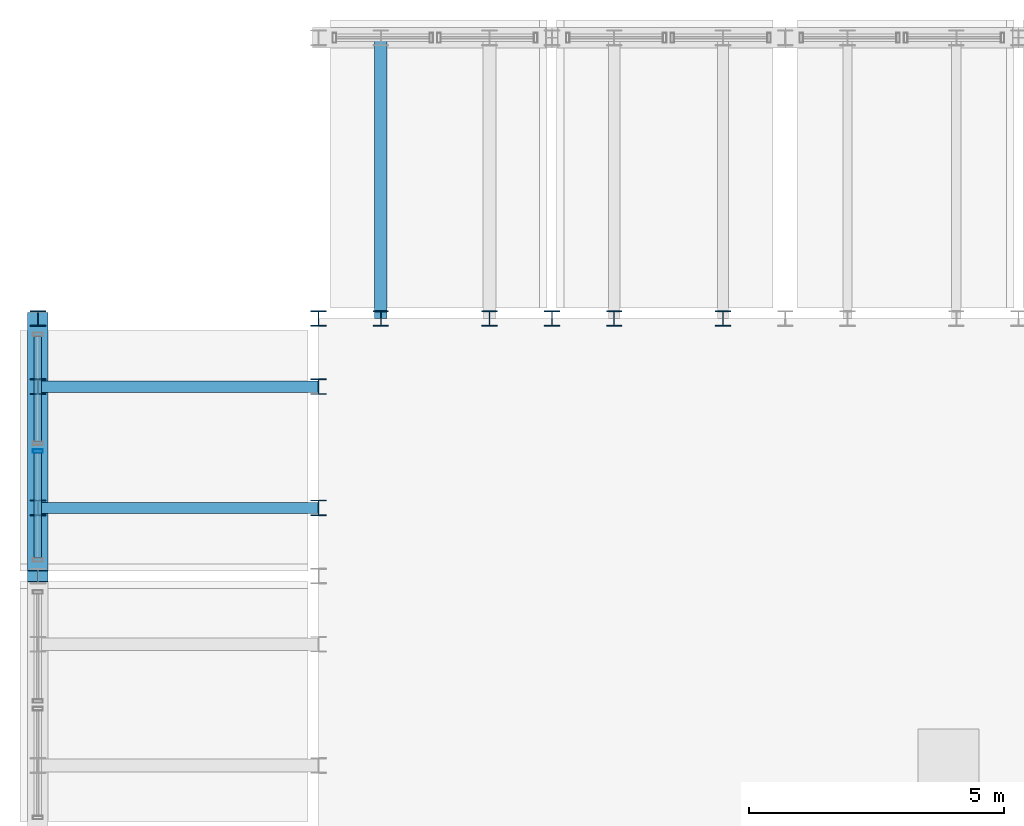
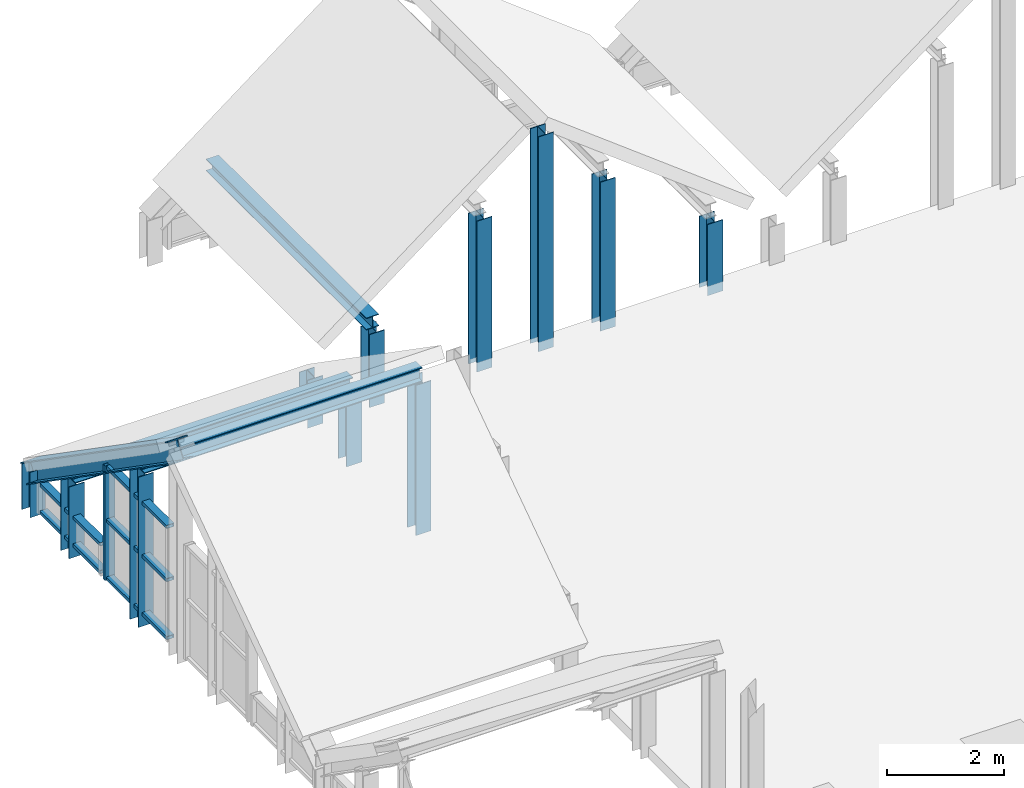
# One storey, part 8 of 21: 21 members, 2 elements without a shape of their own.
"""IFC4 building model written with IfcOpenShell, lengths in metres."""

import ifcopenshell
import ifcopenshell.guid

model = None  # the IFC model being written
_history = None  # IfcOwnerHistory: only IFC2X3 demands one
_inside = {}  # id of a spatial element -> (the spatial element, [elements in it])
_under = {}  # id of a project, library or spatial element -> (it, [spatial elements below it])
_declared = {}  # id of a project -> (the project, [libraries it declares])
_typed = {}  # id of a type object -> (the type object, [elements of that type])
_made_of = {}  # id of a material, layer set ... -> (it, [elements and type objects made of it])


def new_model(schema):
    """Start an empty IFC model of exactly this schema.

    Asked for "IFC4X3", IfcOpenShell would pick the latest addendum, in which some entities
    have other attributes; the version numbers below select the first issue.
    IFC2X3 requires an IfcOwnerHistory on every rooted entity: one is made here for all.
    """
    global model, _history
    if schema == "IFC4X3":
        model = ifcopenshell.file(schema_version=(4, 3, 0, 0))
    else:
        model = ifcopenshell.file(schema=schema)
    _inside.clear()
    _under.clear()
    _declared.clear()
    _typed.clear()
    _made_of.clear()
    _history = None
    if model.schema == "IFC2X3":
        org = make("IfcOrganization", Name="unknown")
        user = make(
            "IfcPersonAndOrganization",
            ThePerson=make("IfcPerson", FamilyName="unknown"),
            TheOrganization=org,
        )
        app = make(
            "IfcApplication",
            ApplicationDeveloper=org,
            Version="unknown",
            ApplicationFullName="unknown",
            ApplicationIdentifier="unknown",
        )
        _history = make(
            "IfcOwnerHistory",
            OwningUser=user,
            OwningApplication=app,
            ChangeAction="ADDED",
            CreationDate=0,
        )
    return model


def make(cls, **values):
    """One entity of the class cls with the attributes given. An attribute that is None is left unset."""
    return model.create_entity(
        cls, **{name: value for name, value in values.items() if value is not None}
    )


def rooted(cls, **values):
    """An entity with a GlobalId (a new one), such as an element, a storey or a relation."""
    return make(cls, GlobalId=ifcopenshell.guid.new(), OwnerHistory=_history, **values)


def si_unit(unit_type, name, prefix=None):
    """IfcSIUnit, for example si_unit("LENGTHUNIT", "METRE", prefix="MILLI")."""
    return make("IfcSIUnit", UnitType=unit_type, Prefix=prefix, Name=name)


def assignment(units):
    """IfcUnitAssignment: the units of a project."""
    return None if units is None else make("IfcUnitAssignment", Units=units)


def point(xyz):
    """IfcCartesianPoint."""
    return None if xyz is None else make("IfcCartesianPoint", Coordinates=xyz)


def direction(xyz):
    """IfcDirection."""
    return None if xyz is None else make("IfcDirection", DirectionRatios=xyz)


def frame(location, z_axis=None, x_axis=None):
    """IfcAxis2Placement3D, a coordinate frame: its origin and axes. An axis left out is left unset."""
    return make(
        "IfcAxis2Placement3D",
        Location=point(location),
        Axis=direction(z_axis),
        RefDirection=direction(x_axis),
    )


def frame_2d(location, x_axis=None):
    """IfcAxis2Placement2D, a coordinate frame in the plane: its origin and x axis."""
    return make(
        "IfcAxis2Placement2D", Location=point(location), RefDirection=direction(x_axis)
    )


def origin():
    """The frame at (0, 0, 0) with its axes left unset."""
    return frame((0.0, 0.0, 0.0))


def origin_2d():
    """The frame at (0, 0) in the plane with its x axis left unset."""
    return frame_2d((0.0, 0.0))


def place(relative_to, where):
    """IfcLocalPlacement: puts the frame where relative to a parent placement (None: the world)."""
    return make(
        "IfcLocalPlacement", PlacementRelTo=relative_to, RelativePlacement=where
    )


def context(
    kind, dimensions, precision=None, world=None, true_north=None, identifier=None
):
    """IfcGeometricRepresentationContext, for example the 3D "Model" context."""
    return make(
        "IfcGeometricRepresentationContext",
        ContextIdentifier=identifier,
        ContextType=kind,
        CoordinateSpaceDimension=dimensions,
        Precision=precision,
        WorldCoordinateSystem=world,
        TrueNorth=true_north,
    )


def subcontext(parent, identifier, kind, view, scale=None):
    """IfcGeometricRepresentationSubContext, for example "Body" below "Model"."""
    return make(
        "IfcGeometricRepresentationSubContext",
        ContextIdentifier=identifier,
        ContextType=kind,
        ParentContext=parent,
        TargetScale=scale,
        TargetView=view,
    )


def project(units=None, contexts=None):
    """IfcProject with its units and contexts."""
    return rooted(
        "IfcProject",
        Name="project",
        RepresentationContexts=contexts,
        UnitsInContext=assignment(units),
    )


def spatial(cls, under=None, at=None, **own):
    """A site, building, storey or space (cls), placed at a placement, below another one or the project."""
    s = rooted(cls, ObjectPlacement=at, **own)
    if under is not None:
        _under.setdefault(under.id(), (under, []))[1].append(s)
    return s


def profile(cls, at=None, kind="AREA", **sizes):
    """A parametric profile (cls). Its sizes go by their IFC names, for example OverallWidth=200.0."""
    return make(cls, ProfileType=kind, Position=at, **sizes)


def hollow_rectangle(**sizes):
    """IfcRectangleHollowProfileDef."""
    return profile("IfcRectangleHollowProfileDef", **sizes)


def i_section(**sizes):
    """IfcIShapeProfileDef."""
    return profile("IfcIShapeProfileDef", **sizes)


def extrude(swept, where, along, depth):
    """IfcExtrudedAreaSolid: the profile swept, set in the frame where, extruded along a direction by depth."""
    return make(
        "IfcExtrudedAreaSolid",
        SweptArea=swept,
        Position=where,
        ExtrudedDirection=direction(along),
        Depth=depth,
    )


def shape(context_of_items, identifier, shape_type, items):
    """IfcShapeRepresentation: the items that make up one representation, for example the "Body"."""
    return make(
        "IfcShapeRepresentation",
        ContextOfItems=context_of_items,
        RepresentationIdentifier=identifier,
        RepresentationType=shape_type,
        Items=items,
    )


def source(mapping_origin, context_of_items, identifier, shape_type, items):
    """IfcRepresentationMap: a shape defined once, which mapped items show again and again."""
    return make(
        "IfcRepresentationMap",
        MappingOrigin=mapping_origin,
        MappedRepresentation=shape(context_of_items, identifier, shape_type, items),
    )


def transform(
    local_origin,
    x_axis=None,
    y_axis=None,
    z_axis=None,
    scale=None,
    scale2=None,
    scale3=None,
    uniform=True,
):
    """IfcCartesianTransformationOperator3D, or its non-uniform kind. x_axis, y_axis, z_axis: its Axis1, 2, 3."""
    if uniform:
        return make(
            "IfcCartesianTransformationOperator3D",
            Axis1=direction(x_axis),
            Axis2=direction(y_axis),
            LocalOrigin=point(local_origin),
            Scale=scale,
            Axis3=direction(z_axis),
        )
    return make(
        "IfcCartesianTransformationOperator3DnonUniform",
        Axis1=direction(x_axis),
        Axis2=direction(y_axis),
        LocalOrigin=point(local_origin),
        Scale=scale,
        Axis3=direction(z_axis),
        Scale2=scale2,
        Scale3=scale3,
    )


def mapped(mapping_source, mapping_target):
    """IfcMappedItem: shows the shape of a source again, moved by a transform."""
    return make(
        "IfcMappedItem", MappingSource=mapping_source, MappingTarget=mapping_target
    )


def material(Name=None, Category=None):
    """IfcMaterial."""
    return make("IfcMaterial", Name=Name, Category=Category)


def layer(
    of_material, thickness, ventilated=None, Name=None, Category=None, Priority=None
):
    """IfcMaterialLayer: one layer of a wall or slab, of a material (None: an air gap)."""
    return make(
        "IfcMaterialLayer",
        Material=of_material,
        LayerThickness=thickness,
        IsVentilated=ventilated,
        Name=Name,
        Category=Category,
        Priority=Priority,
    )


def layer_set(layers, Name=None):
    """IfcMaterialLayerSet."""
    return make("IfcMaterialLayerSet", MaterialLayers=layers, LayerSetName=Name)


def material_profile(
    of_material, cross_section, Name=None, Category=None, Priority=None
):
    """IfcMaterialProfile: a cross section and its material."""
    return make(
        "IfcMaterialProfile",
        Name=Name,
        Material=of_material,
        Profile=cross_section,
        Priority=Priority,
        Category=Category,
    )


def profile_set(profiles, Name=None, composite=None):
    """IfcMaterialProfileSet."""
    return make(
        "IfcMaterialProfileSet",
        Name=Name,
        MaterialProfiles=profiles,
        CompositeProfile=composite,
    )


def made_of(thing, what):
    """Note that an element or type object is made of a material, layer set ...; save() writes the relation."""
    if what is not None:
        _made_of.setdefault(what.id(), (what, []))[1].append(thing)
    return thing


def type_object(cls, material=None, **own):
    """A type object (cls), such as IfcWallType, which elements share."""
    return made_of(rooted(cls, **own), material)


def element(
    cls,
    number,
    at=None,
    inside=None,
    cuts=None,
    type_object=None,
    material=None,
    context=None,
    identifier="Body",
    shape_type=None,
    held_by="IfcProductDefinitionShape",
    body=None,
    shapes=None,
    **own,
):
    """One element of the class cls, such as IfcWall. Its Tag is "e" and its number.

    at: its placement. inside: the storey or other place that contains it. cuts: it is an
    opening in that element (IfcRelVoidsElement). A single representation is given by context,
    identifier, shape_type and body (its items); several are given by shapes. held_by: the class
    of the entity that holds the representations. save() writes the other relations.
    """
    e = rooted(cls, Tag="e%d" % number, ObjectPlacement=at, **own)
    if body is not None:
        shapes = [shape(context, identifier, shape_type, body)]
    if shapes is not None:
        e.Representation = make(held_by, Representations=shapes)
    if inside is not None:
        _inside.setdefault(inside.id(), (inside, []))[1].append(e)
    if cuts is not None:
        rooted(
            "IfcRelVoidsElement", RelatingBuildingElement=cuts, RelatedOpeningElement=e
        )
    if type_object is not None:
        _typed.setdefault(type_object.id(), (type_object, []))[1].append(e)
    return made_of(e, material)


def aggregate(whole, parts):
    """IfcRelAggregates: a whole, such as a stair, and the parts it consists of."""
    return rooted("IfcRelAggregates", RelatingObject=whole, RelatedObjects=parts)


def save(model, path):
    """Write the relations noted so far, then the file.

    IfcRelAggregates (storeys below a building ...), IfcRelContainedInSpatialStructure (elements
    in a storey), IfcRelDefinesByType, IfcRelAssociatesMaterial and IfcRelDeclares: one each for
    every whole, place, type object, material and project.
    """
    for whole, parts in _under.values():
        aggregate(whole, parts)
    for where, things in _inside.values():
        rooted(
            "IfcRelContainedInSpatialStructure",
            RelatedElements=things,
            RelatingStructure=where,
        )
    for kind, things in _typed.values():
        rooted("IfcRelDefinesByType", RelatedObjects=things, RelatingType=kind)
    for what, things in _made_of.values():
        rooted("IfcRelAssociatesMaterial", RelatedObjects=things, RelatingMaterial=what)
    for by, libraries in _declared.values():
        rooted("IfcRelDeclares", RelatingContext=by, RelatedDefinitions=libraries)
    model.write(path)


model = new_model("IFC4")

# Units and contexts
model_context = context("Model", 3, precision=1e-05, world=origin(), true_north=direction((0.0, 1.0)))
body_context = subcontext(model_context, "Body", "Model", "MODEL_VIEW")
ifc_project = project(units=[si_unit("LENGTHUNIT", "METRE"), si_unit("AREAUNIT", "SQUARE_METRE"), si_unit("VOLUMEUNIT", "CUBIC_METRE"), si_unit("PLANEANGLEUNIT", "RADIAN"), si_unit("MASSUNIT", "GRAM", prefix="KILO")], contexts=[model_context])

# Site, building, storey
site_placement = place(None, origin())
site = spatial("IfcSite", under=ifc_project, at=site_placement, CompositionType="ELEMENT")
building_placement = place(site_placement, origin())
building = spatial("IfcBuilding", under=site, at=building_placement, Name="Saelheon Loggia Tower", CompositionType="ELEMENT")
storey_placement = place(building_placement, frame((0.0, 0.0, 275.0)))
storey = spatial("IfcBuildingStorey", under=building, at=storey_placement, Name="ROOF", CompositionType="ELEMENT", Elevation=275.0)

# Members
ifc_material_1 = material(Name="Steel SM355", Category="steel")
ifc_material_profile_1 = material_profile(ifc_material_1, i_section(OverallWidth=0.300048828125, OverallDepth=0.300048828125, WebThickness=0.010009765625, FlangeThickness=0.014892578125, at=origin_2d()), Name="H-300x300x10x15")
ifc_profile_set_1 = profile_set([ifc_material_profile_1], Name="Steel SM355")
member_type_1 = type_object("IfcMemberType", Name="WaveCrest_Post_H300", PredefinedType="POST", material=ifc_profile_set_1)
shared_shape_1 = source(origin(), body_context, "Body", "SweptSolid", [
    extrude(i_section(OverallWidth=0.300048828125, OverallDepth=0.300048828125, WebThickness=0.010009765625, FlangeThickness=0.014892578125, at=origin_2d()), origin(), (0.0, 0.0, 1.0), 0.949951171875),
])
member_1_placement = place(storey_placement, frame((23.35009765625, 42.14990234375, -0.14990234375), z_axis=(0.0, 0.0, 1.0), x_axis=(1.0, 0.0, 0.0)))
element("IfcMember", 1, at=member_1_placement, inside=storey, type_object=member_type_1, Name="ROOF Wave Crest Outer Post W 06", PredefinedType="POST", context=body_context, shape_type="MappedRepresentation", body=[
    mapped(shared_shape_1, transform((0.0, 0.0, 0.0), scale=1.0)),
])
ifc_material_profile_2 = material_profile(ifc_material_1, i_section(OverallWidth=0.300048828125, OverallDepth=0.300048828125, WebThickness=0.010009765625, FlangeThickness=0.014892578125, at=origin_2d()), Name="H-300x300x10x15")
ifc_profile_set_2 = profile_set([ifc_material_profile_2], Name="Steel SM355")
member_type_2 = type_object("IfcMemberType", Name="Belt_Post_H300", PredefinedType="POST", material=ifc_profile_set_2)
shared_shape_2 = source(origin(), body_context, "Body", "SweptSolid", [
    extrude(i_section(OverallWidth=0.300048828125, OverallDepth=0.300048828125, WebThickness=0.010009765625, FlangeThickness=0.014892578125, at=origin_2d()), origin(), (0.0, 0.0, 1.0), 1.0),
])
member_2_placement = place(storey_placement, frame((28.85009765625, 42.14990234375, -0.199951171875), z_axis=(0.0, 0.0, 1.0), x_axis=(1.0, 0.0, 0.0)))
element("IfcMember", 2, at=member_2_placement, inside=storey, type_object=member_type_2, Name="ROOF Wave Crest Inner Post W 06", PredefinedType="POST", context=body_context, shape_type="MappedRepresentation", body=[
    mapped(shared_shape_2, transform((0.0, 0.0, 0.0), scale=1.0)),
])
shared_shape_3 = source(origin(), body_context, "Body", "SweptSolid", [
    extrude(i_section(OverallWidth=0.300048828125, OverallDepth=0.300048828125, WebThickness=0.010009765625, FlangeThickness=0.014892578125, at=origin_2d()), origin(), (0.0, 0.0, 1.0), 4.5),
])
member_3_placement = place(storey_placement, frame((33.425048828125, 42.14990234375, -0.199951171875), z_axis=(0.0, 0.0, 1.0), x_axis=(1.0, 0.0, 0.0)))
element("IfcMember", 3, at=member_3_placement, inside=storey, type_object=member_type_2, Name="ROOF Wave Crest Inner Post N 01", PredefinedType="POST", context=body_context, shape_type="MappedRepresentation", body=[
    mapped(shared_shape_3, transform((0.0, 0.0, 0.0), scale=1.0)),
])
ifc_material_profile_3 = material_profile(ifc_material_1, i_section(OverallWidth=0.25, OverallDepth=0.25, WebThickness=0.009033203125, FlangeThickness=0.013916015625, at=origin_2d()), Name="H-250x250x9x14")
ifc_profile_set_3 = profile_set([ifc_material_profile_3], Name="Steel SM355")
member_type_3 = type_object("IfcMemberType", Name="Roof_Purlin_H250", PredefinedType="PURLIN", material=ifc_profile_set_3)
shared_shape_4 = source(origin(), body_context, "Body", "SweptSolid", [
    extrude(i_section(OverallWidth=0.25, OverallDepth=0.25, WebThickness=0.009033203125, FlangeThickness=0.013916015625, at=origin_2d()), origin(), (0.0, 0.0, 1.0), 5.5),
])
member_4_placement = place(storey_placement, frame((30.07275390625, 47.64990234375, 1.45458984375), z_axis=(0.0, -1.0, 0.0), x_axis=(1.0, 0.0, 0.0)))
element("IfcMember", 4, at=member_4_placement, inside=storey, type_object=member_type_3, Name="Crown Wave Roof Purlin 17 A", PredefinedType="PURLIN", context=body_context, shape_type="MappedRepresentation", body=[
    mapped(shared_shape_4, transform((0.0, 0.0, 0.0), scale=1.0)),
])
ifc_material_profile_4 = material_profile(ifc_material_1, i_section(OverallWidth=0.219970703125, OverallDepth=0.300048828125, WebThickness=0.011962890625, FlangeThickness=0.02001953125, at=origin_2d()), Name="H-300x220x12x20")
ifc_profile_set_4 = profile_set([ifc_material_profile_4], Name="Steel SM355")
member_type_4 = type_object("IfcMemberType", Name="Roof_Purlin_RHS300", PredefinedType="PURLIN", material=ifc_profile_set_4)
shared_shape_5 = source(origin(), body_context, "Body", "SweptSolid", [
    extrude(i_section(OverallWidth=0.219970703125, OverallDepth=0.300048828125, WebThickness=0.011962890625, FlangeThickness=0.02001953125, at=origin_2d()), origin(), (0.0, 0.0, 1.0), 5.5),
])
for number, where, z_axis, x_axis, name in (
    (5, (23.35009765625, 38.436767578125, 3.097412109375), (1.0, 0.0, 0.0), (0.0, 1.0, 0.0), "Crown Wave Roof Purlin 06 A"),
    (6, (23.35009765625, 40.813232421875, 1.4501953125), (1.0, 0.0, 0.0), (0.0, 1.0, 0.0), "Crown Wave Roof Purlin 06 B"),
):
    element("IfcMember", number, at=place(storey_placement, frame(where, z_axis=z_axis, x_axis=x_axis)), inside=storey, type_object=member_type_4, Name=name, PredefinedType="PURLIN", context=body_context, shape_type="MappedRepresentation", body=[
        mapped(shared_shape_5, transform((0.0, 0.0, 0.0), scale=1.0)),
    ])
shared_shape_6 = source(origin(), body_context, "Body", "SweptSolid", [
    extrude(i_section(OverallWidth=0.300048828125, OverallDepth=0.300048828125, WebThickness=0.010009765625, FlangeThickness=0.014892578125, at=origin_2d()), origin(), (0.0, 0.0, 1.0), 1.500244140625),
])
for number, where, z_axis, x_axis, name in (
    (7, (23.35009765625, 40.813232421875, -0.199951171875), (0.0, 0.0, 1.0), (1.0, 0.0, 0.0), "Crown Wave Roof Purlin Support Post 06 B O"),
    (8, (28.85009765625, 40.813232421875, -0.199951171875), (0.0, 0.0, 1.0), (1.0, 0.0, 0.0), "Crown Wave Roof Purlin Support Post 06 B I"),
):
    element("IfcMember", number, at=place(storey_placement, frame(where, z_axis=z_axis, x_axis=x_axis)), inside=storey, type_object=member_type_2, Name=name, PredefinedType="POST", context=body_context, shape_type="MappedRepresentation", body=[
        mapped(shared_shape_6, transform((0.0, 0.0, 0.0), scale=1.0)),
    ])
shared_shape_7 = source(origin(), body_context, "Body", "SweptSolid", [
    extrude(i_section(OverallWidth=0.300048828125, OverallDepth=0.300048828125, WebThickness=0.010009765625, FlangeThickness=0.014892578125, at=origin_2d()), origin(), (0.0, 0.0, 1.0), 3.147216796875),
])
for number, where, z_axis, x_axis, name in (
    (9, (23.35009765625, 38.436767578125, -0.199951171875), (0.0, 0.0, 1.0), (1.0, 0.0, 0.0), "Crown Wave Roof Purlin Support Post 06 A O"),
    (10, (28.85009765625, 38.436767578125, -0.199951171875), (0.0, 0.0, 1.0), (1.0, 0.0, 0.0), "Crown Wave Roof Purlin Support Post 06 A I"),
):
    element("IfcMember", number, at=place(storey_placement, frame(where, z_axis=z_axis, x_axis=x_axis)), inside=storey, type_object=member_type_2, Name=name, PredefinedType="POST", context=body_context, shape_type="MappedRepresentation", body=[
        mapped(shared_shape_7, transform((0.0, 0.0, 0.0), scale=1.0)),
    ])
shared_shape_8 = source(origin(), body_context, "Body", "SweptSolid", [
    extrude(i_section(OverallWidth=0.300048828125, OverallDepth=0.300048828125, WebThickness=0.010009765625, FlangeThickness=0.014892578125, at=origin_2d()), origin(), (0.0, 0.0, 1.0), 3.15869140625),
])
member_5_placement = place(storey_placement, frame((32.2021484375, 42.14990234375, -0.199951171875), z_axis=(0.0, 0.0, 1.0), x_axis=(1.0, 0.0, 0.0)))
element("IfcMember", 11, at=member_5_placement, inside=storey, type_object=member_type_2, Name="Crown Wave Roof Purlin Support Post 17 B I", PredefinedType="POST", context=body_context, shape_type="MappedRepresentation", body=[
    mapped(shared_shape_8, transform((0.0, 0.0, 0.0), scale=1.0)),
])
shared_shape_9 = source(origin(), body_context, "Body", "SweptSolid", [
    extrude(i_section(OverallWidth=0.300048828125, OverallDepth=0.300048828125, WebThickness=0.010009765625, FlangeThickness=0.014892578125, at=origin_2d()), origin(), (0.0, 0.0, 1.0), 1.529541015625),
])
member_6_placement = place(storey_placement, frame((30.07275390625, 42.14990234375, -0.199951171875), z_axis=(0.0, 0.0, 1.0), x_axis=(1.0, 0.0, 0.0)))
element("IfcMember", 12, at=member_6_placement, inside=storey, type_object=member_type_2, Name="Crown Wave Roof Purlin Support Post 17 A I", PredefinedType="POST", context=body_context, shape_type="MappedRepresentation", body=[
    mapped(shared_shape_9, transform((0.0, 0.0, 0.0), scale=1.0)),
])
shared_shape_10 = source(origin(), body_context, "Body", "SweptSolid", [
    extrude(i_section(OverallWidth=0.300048828125, OverallDepth=0.300048828125, WebThickness=0.010009765625, FlangeThickness=0.014892578125, at=origin_2d()), origin(), (0.0, 0.0, 1.0), 1.490966796875),
])
member_7_placement = place(storey_placement, frame((36.777099609375, 42.14990234375, -0.199951171875), z_axis=(0.0, 0.0, 1.0), x_axis=(1.0, 0.0, 0.0)))
element("IfcMember", 13, at=member_7_placement, inside=storey, type_object=member_type_2, Name="Crown Wave Roof Purlin Support Post 18 B I", PredefinedType="POST", context=body_context, shape_type="MappedRepresentation", body=[
    mapped(shared_shape_10, transform((0.0, 0.0, 0.0), scale=1.0)),
])
shared_shape_11 = source(origin(), body_context, "Body", "SweptSolid", [
    extrude(i_section(OverallWidth=0.300048828125, OverallDepth=0.300048828125, WebThickness=0.010009765625, FlangeThickness=0.014892578125, at=origin_2d()), origin(), (0.0, 0.0, 1.0), 3.1201171875),
])
member_8_placement = place(storey_placement, frame((34.647705078125, 42.14990234375, -0.199951171875), z_axis=(0.0, 0.0, 1.0), x_axis=(1.0, 0.0, 0.0)))
element("IfcMember", 14, at=member_8_placement, inside=storey, type_object=member_type_2, Name="Crown Wave Roof Purlin Support Post 18 A I", PredefinedType="POST", context=body_context, shape_type="MappedRepresentation", body=[
    mapped(shared_shape_11, transform((0.0, 0.0, 0.0), scale=1.0)),
])
ifc_material_profile_5 = material_profile(ifc_material_1, i_section(OverallWidth=0.39990234375, OverallDepth=0.39990234375, WebThickness=0.012939453125, FlangeThickness=0.02099609375, at=origin_2d()), Name="H-400x400x13x21")
ifc_profile_set_5 = profile_set([ifc_material_profile_5], Name="Steel SM355")
member_type_5 = type_object("IfcMemberType", Name="CrownFrame_Brace_H400", PredefinedType="BRACE", material=ifc_profile_set_5)
shared_shape_12 = source(origin(), body_context, "Body", "SweptSolid", [
    extrude(i_section(OverallWidth=0.39990234375, OverallDepth=0.39990234375, WebThickness=0.012939453125, FlangeThickness=0.02099609375, at=origin_2d()), origin(), (0.0, 0.0, 1.0), 6.14404296875),
])
member_9_placement = place(storey_placement, frame((23.35009765625, 37.10009765625, 4.199951171875), z_axis=(0.0, 0.821888813717, -0.569647942054), x_axis=(-1.0, 0.0, 0.0)))
element("IfcMember", 15, at=member_9_placement, inside=storey, type_object=member_type_5, Name="ROOF CROWN FRAME Wave Crest Cap W 06", PredefinedType="BRACE", context=body_context, shape_type="MappedRepresentation", body=[
    mapped(shared_shape_12, transform((0.0, 0.0, 0.0), scale=1.0)),
])

# Curtain wall, members
ifc_material_2 = material(Name="Bronze-Anodised Aluminium and Fritted Ceramic Screen", Category="aluminium")
ifc_layer = layer(ifc_material_2, 0.219970703125)
ifc_layer_set = layer_set([ifc_layer], Name="Bronze-Anodised Aluminium and Fritted Ceramic Screen")
curtain_wall_type = type_object("IfcCurtainWallType", Name="CW_CrownScreen", PredefinedType="NOTDEFINED", material=ifc_layer_set)
curtain_wall_1_placement = place(storey_placement, origin())
curtain_wall_1 = element("IfcCurtainWall", 16, at=curtain_wall_1_placement, inside=storey, type_object=curtain_wall_type, Name="ROOF Wave Crest Curtain Wall W 06-1", PredefinedType="NOTDEFINED")
ifc_material_3 = material(Name="Bronze-Anodised Aluminium 6063-T6", Category="aluminium")
ifc_material_profile_6 = material_profile(ifc_material_3, hollow_rectangle(XDim=0.070068359375, YDim=0.14990234375, WallThickness=0.0048828125, at=origin_2d()), Name="RHS-150x70x5")
ifc_profile_set_6 = profile_set([ifc_material_profile_6], Name="Bronze-Anodised Aluminium 6063-T6")
member_type_6 = type_object("IfcMemberType", Name="CW_CrownScreen_Transom", PredefinedType="USERDEFINED", material=ifc_profile_set_6)
shared_shape_13 = source(origin(), body_context, "Body", "SweptSolid", [
    extrude(hollow_rectangle(XDim=0.070068359375, YDim=0.14990234375, WallThickness=0.0048828125, at=origin_2d()), origin(), (0.0, 0.0, 1.0), 2.06494140625),
])
member_10_placement = place(storey_placement, frame((23.35009765625, 37.449951171875, 0.054931640625), z_axis=(0.0, 1.0, 0.0), x_axis=(0.0, 0.0, 1.0)))
member_10 = element("IfcMember", 17, at=member_10_placement, type_object=member_type_6, Name="CW6 transom 1.1", ObjectType="TRANSOM", PredefinedType="USERDEFINED", context=body_context, shape_type="MappedRepresentation", body=[
    mapped(shared_shape_13, transform((0.0, 0.0, 0.0), scale=1.0)),
])
member_11_placement = place(storey_placement, frame((23.35009765625, 37.449951171875, 1.27001953125), z_axis=(0.0, 1.0, 0.0), x_axis=(0.0, 0.0, 1.0)))
member_11 = element("IfcMember", 18, at=member_11_placement, type_object=member_type_6, Name="CW6 transom 1.2", ObjectType="TRANSOM", PredefinedType="USERDEFINED", context=body_context, shape_type="MappedRepresentation", body=[
    mapped(shared_shape_13, transform((0.0, 0.0, 0.0), scale=1.0)),
])
member_12_placement = place(storey_placement, frame((23.35009765625, 37.449951171875, 2.385009765625), z_axis=(0.0, 1.0, 0.0), x_axis=(0.0, 0.0, 1.0)))
member_12 = element("IfcMember", 19, at=member_12_placement, type_object=member_type_6, Name="CW6 transom 1.3", ObjectType="TRANSOM", PredefinedType="USERDEFINED", context=body_context, shape_type="MappedRepresentation", body=[
    mapped(shared_shape_13, transform((0.0, 0.0, 0.0), scale=1.0)),
])

curtain_wall_2_placement = place(storey_placement, origin())
curtain_wall_2 = element("IfcCurtainWall", 20, at=curtain_wall_2_placement, inside=storey, type_object=curtain_wall_type, Name="ROOF Wave Crest Curtain Wall W 06-2", PredefinedType="NOTDEFINED")
member_13_placement = place(storey_placement, frame((23.35009765625, 39.735107421875, 0.054931640625), z_axis=(0.0, 1.0, 0.0), x_axis=(0.0, 0.0, 1.0)))
member_13 = element("IfcMember", 21, at=member_13_placement, type_object=member_type_6, Name="CW6 transom 1.1", ObjectType="TRANSOM", PredefinedType="USERDEFINED", context=body_context, shape_type="MappedRepresentation", body=[
    mapped(shared_shape_13, transform((0.0, 0.0, 0.0), scale=1.0)),
])
member_14_placement = place(storey_placement, frame((23.35009765625, 39.735107421875, 0.635009765625), z_axis=(0.0, 1.0, 0.0), x_axis=(0.0, 0.0, 1.0)))
member_14 = element("IfcMember", 22, at=member_14_placement, type_object=member_type_6, Name="CW6 transom 1.2", ObjectType="TRANSOM", PredefinedType="USERDEFINED", context=body_context, shape_type="MappedRepresentation", body=[
    mapped(shared_shape_13, transform((0.0, 0.0, 0.0), scale=1.0)),
])
aggregate(curtain_wall_2, [member_13, member_14])

# Member
ifc_material_profile_7 = material_profile(ifc_material_3, hollow_rectangle(XDim=0.070068359375, YDim=0.199951171875, WallThickness=0.0048828125, at=origin_2d()), Name="RHS-200x70x5")
ifc_profile_set_7 = profile_set([ifc_material_profile_7], Name="Bronze-Anodised Aluminium 6063-T6")
member_type_7 = type_object("IfcMemberType", Name="CW_CrownScreen_Mullion", PredefinedType="MULLION", material=ifc_profile_set_7)
shared_shape_14 = source(origin(), body_context, "Body", "SweptSolid", [
    extrude(hollow_rectangle(XDim=0.070068359375, YDim=0.199951171875, WallThickness=0.0048828125, at=origin_2d()), origin(), (0.0, 0.0, 1.0), 2.39990234375),
])
member_15_placement = place(storey_placement, frame((23.35009765625, 39.550048828125, 0.02001953125), z_axis=(0.0, 0.0, 1.0), x_axis=(0.0, 1.0, 0.0)))
member_15 = element("IfcMember", 23, at=member_15_placement, type_object=member_type_7, Name="CW6 mullion 2", PredefinedType="MULLION", context=body_context, shape_type="MappedRepresentation", body=[
    mapped(shared_shape_14, transform((0.0, 0.0, 0.0), scale=1.0)),
])

aggregate(curtain_wall_1, [member_15, member_10, member_11, member_12])

save(model, "model.ifc")
